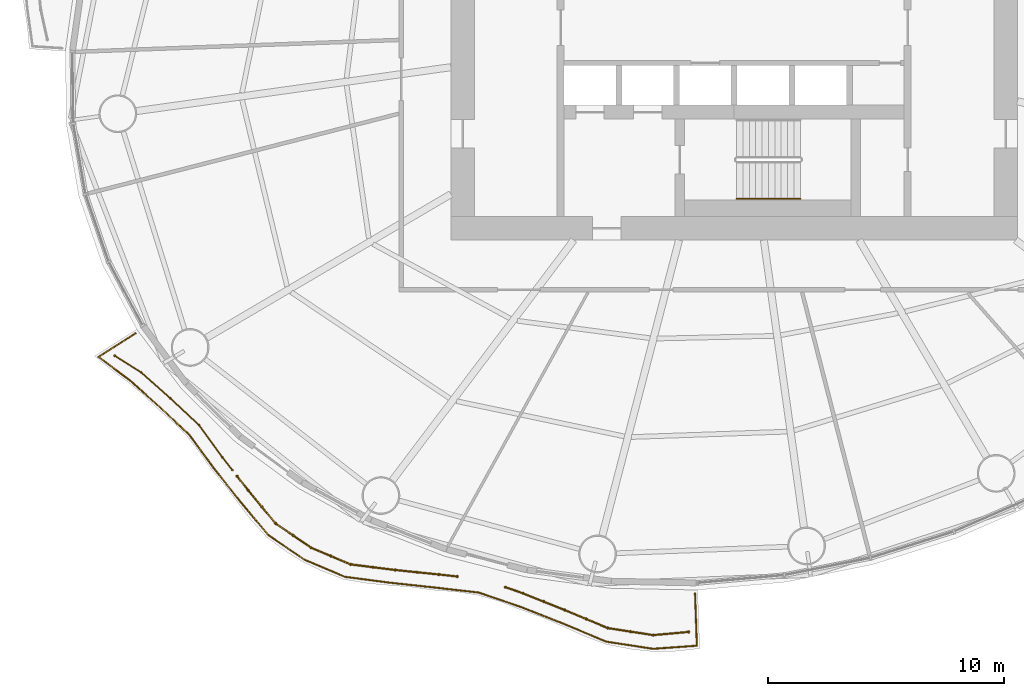
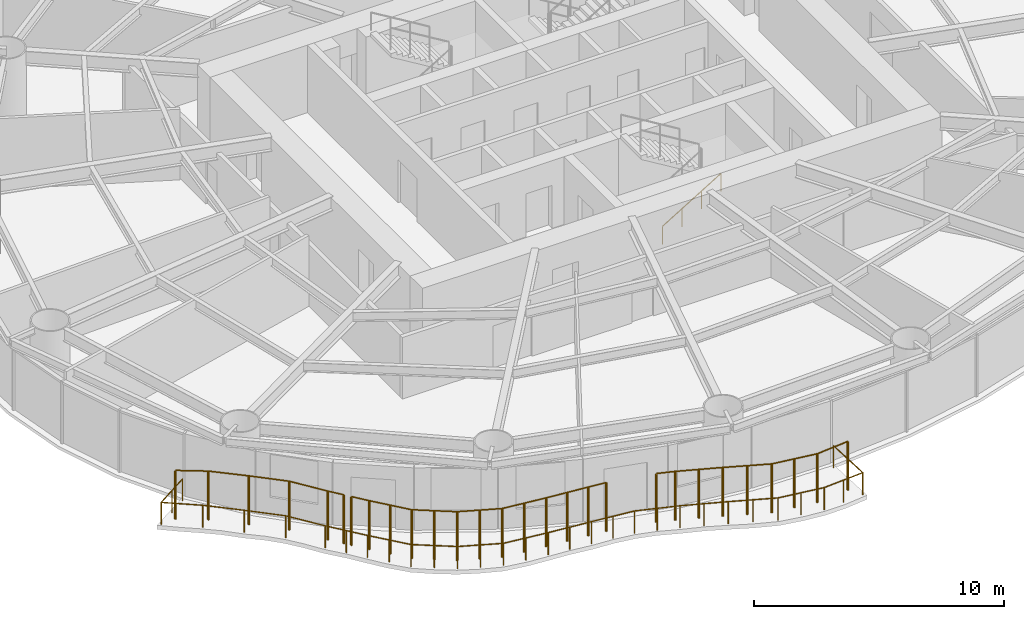
# One storey, part 12 of 17: 5 railings.
"""IFC4 building model written with IfcOpenShell, lengths in metres."""

from ifc_helpers import new_model, si_unit, direction, frame, origin, origin_2d, place, context, subcontext, project, spatial, circle, extrude, material, type_object, element, save


model = new_model("IFC4")

# Units and contexts
model_context = context("Model", 3, precision=1e-05, world=origin(), true_north=direction((0.0, 1.0)))
body_context = subcontext(model_context, "Body", "Model", "MODEL_VIEW")
ifc_project = project(units=[si_unit("LENGTHUNIT", "METRE"), si_unit("AREAUNIT", "SQUARE_METRE"), si_unit("VOLUMEUNIT", "CUBIC_METRE"), si_unit("PLANEANGLEUNIT", "RADIAN"), si_unit("MASSUNIT", "GRAM", prefix="KILO")], contexts=[model_context])

# Site, building, storey
site_placement = place(None, origin())
site = spatial("IfcSite", under=ifc_project, at=site_placement, CompositionType="ELEMENT")
building_placement = place(site_placement, origin())
building = spatial("IfcBuilding", under=site, at=building_placement, Name="Vermilion Reach Broadcast Tower", CompositionType="ELEMENT")
storey_placement = place(building_placement, frame((0.0, 0.0, 92.199951171875)))
storey = spatial("IfcBuildingStorey", under=building, at=storey_placement, Name="L20", CompositionType="ELEMENT", Elevation=92.199951171875)

# Railings
ifc_material_1 = material(Name="Terracotta baguette", Category="masonry")
railing_type_1 = type_object("IfcRailingType", Name="BAGUETTE SCREEN", PredefinedType="USERDEFINED", material=ifc_material_1)
railing_1_placement = place(storey_placement, frame((-32.238037109375, -13.89892578125, 0.0)))
element("IfcRailing", 1, at=railing_1_placement, inside=storey, type_object=railing_type_1, Name="Baguette screen L20 group 3 part 1", ObjectType="BAGUETTE SCREEN", PredefinedType="USERDEFINED", context=body_context, shape_type="SweptSolid", body=[
    extrude(circle(Radius=0.030029296875, at=origin_2d()), frame((0.0, 0.0, 2.369873046875), z_axis=(0.846072351119, -0.533068078834, 0.0), x_axis=(0.533068078834, 0.846072351119, 0.0)), (0.0, 0.0, 1.0), 1.3212890625),
    extrude(circle(Radius=0.030029296875, at=origin_2d()), frame((1.117919921875, -0.704345703125, 2.369873046875), z_axis=(0.747987182156, -0.663713172485, 0.0), x_axis=(0.663713172485, 0.747987182156, 0.0)), (0.0, 0.0, 1.0), 1.654296875),
    extrude(circle(Radius=0.030029296875, at=origin_2d()), frame((2.355224609375, -1.80224609375, 2.369873046875), z_axis=(0.730957148218, -0.682423363806, 0.0), x_axis=(0.682423363806, 0.730957148218, 0.0)), (0.0, 0.0, 1.0), 1.655029296875),
    extrude(circle(Radius=0.030029296875, at=origin_2d()), frame((3.56494140625, -2.931640625, 2.369873046875), z_axis=(0.587064500822, -0.809540160755, 0.0), x_axis=(0.809540160755, 0.587064500822, 0.0)), (0.0, 0.0, 1.0), 1.692138671875),
    extrude(circle(Radius=0.030029296875, at=origin_2d()), frame((4.558349609375, -4.301513671875, 2.369873046875), z_axis=(0.615962189801, -0.78777571728, 0.0), x_axis=(0.78777571728, 0.615962189801, 0.0)), (0.0, 0.0, 1.0), 0.684814453125),
    extrude(circle(Radius=0.050048828125, at=origin_2d()), origin(), (0.0, 0.0, 1.0), 2.33984375),
    extrude(circle(Radius=0.050048828125, at=origin_2d()), frame((1.117919921875, -0.704345703125, 0.0)), (0.0, 0.0, 1.0), 2.33984375),
    extrude(circle(Radius=0.050048828125, at=origin_2d()), frame((2.355224609375, -1.80224609375, 0.0)), (0.0, 0.0, 1.0), 2.33984375),
    extrude(circle(Radius=0.050048828125, at=origin_2d()), frame((3.56494140625, -2.931640625, 0.0)), (0.0, 0.0, 1.0), 2.33984375),
    extrude(circle(Radius=0.050048828125, at=origin_2d()), frame((4.558349609375, -4.301513671875, 0.0)), (0.0, 0.0, 1.0), 2.33984375),
    extrude(circle(Radius=0.050048828125, at=origin_2d()), frame((4.980224609375, -4.841064453125, 0.0)), (0.0, 0.0, 1.0), 2.33984375),
])
railing_2_placement = place(storey_placement, frame((-27.05419921875, -19.00048828125, 0.0)))
element("IfcRailing", 2, at=railing_2_placement, inside=storey, type_object=railing_type_1, Name="Baguette screen L20 group 3 part 2", ObjectType="BAGUETTE SCREEN", PredefinedType="USERDEFINED", context=body_context, shape_type="SweptSolid", body=[
    extrude(circle(Radius=0.030029296875, at=origin_2d()), frame((0.0, 0.0, 2.369873046875), z_axis=(0.616099935298, -0.787667994605, 0.0), x_axis=(0.787667994605, 0.616099935298, 0.0)), (0.0, 0.0, 1.0), 0.758544921875),
    extrude(circle(Radius=0.030029296875, at=origin_2d()), frame((0.46728515625, -0.597412109375, 2.369873046875), z_axis=(0.637663687192, -0.77031488499, 0.0), x_axis=(0.77031488499, 0.637663687192, 0.0)), (0.0, 0.0, 1.0), 1.822021484375),
    extrude(circle(Radius=0.030029296875, at=origin_2d()), frame((1.629150390625, -2.0009765625, 2.369873046875), z_axis=(0.825599874106, -0.564256012707, 0.0), x_axis=(0.564256012707, 0.825599874106, 0.0)), (0.0, 0.0, 1.0), 1.82080078125),
    extrude(circle(Radius=0.030029296875, at=origin_2d()), frame((3.13232421875, -3.0283203125, 2.369873046875), z_axis=(0.920896666168, -0.389806785781, 0.0), x_axis=(0.389806785781, 0.920896666168, 0.0)), (0.0, 0.0, 1.0), 1.814453125),
    extrude(circle(Radius=0.030029296875, at=origin_2d()), frame((4.80322265625, -3.735595703125, 2.369873046875), z_axis=(0.992248314161, -0.124271006456, 0.0), x_axis=(0.124271006456, 0.992248314161, 0.0)), (0.0, 0.0, 1.0), 1.90771484375),
    extrude(circle(Radius=0.030029296875, at=origin_2d()), frame((6.696044921875, -3.97265625, 2.369873046875), z_axis=(0.994740533985, -0.102426900995, 0.0), x_axis=(0.102426900995, 0.994740533985, 0.0)), (0.0, 0.0, 1.0), 1.85205078125),
    extrude(circle(Radius=0.030029296875, at=origin_2d()), frame((8.538330078125, -4.162353515625, 2.369873046875), z_axis=(0.993883734674, -0.110431526075, 0.0), x_axis=(0.110431526075, 0.993883734674, 0.0)), (0.0, 0.0, 1.0), 0.784912109375),
    extrude(circle(Radius=0.050048828125, at=origin_2d()), origin(), (0.0, 0.0, 1.0), 2.33984375),
    extrude(circle(Radius=0.050048828125, at=origin_2d()), frame((0.46728515625, -0.597412109375, 0.0)), (0.0, 0.0, 1.0), 2.33984375),
    extrude(circle(Radius=0.050048828125, at=origin_2d()), frame((1.04833984375, -1.29931640625, 0.0)), (0.0, 0.0, 1.0), 2.33984375),
    extrude(circle(Radius=0.050048828125, at=origin_2d()), frame((1.629150390625, -2.0009765625, 0.0)), (0.0, 0.0, 1.0), 2.33984375),
    extrude(circle(Radius=0.050048828125, at=origin_2d()), frame((2.380859375, -2.5146484375, 0.0)), (0.0, 0.0, 1.0), 2.33984375),
    extrude(circle(Radius=0.050048828125, at=origin_2d()), frame((3.13232421875, -3.0283203125, 0.0)), (0.0, 0.0, 1.0), 2.33984375),
    extrude(circle(Radius=0.050048828125, at=origin_2d()), frame((3.9677734375, -3.3818359375, 0.0)), (0.0, 0.0, 1.0), 2.33984375),
    extrude(circle(Radius=0.050048828125, at=origin_2d()), frame((4.80322265625, -3.735595703125, 0.0)), (0.0, 0.0, 1.0), 2.33984375),
    extrude(circle(Radius=0.050048828125, at=origin_2d()), frame((5.74951171875, -3.85400390625, 0.0)), (0.0, 0.0, 1.0), 2.33984375),
    extrude(circle(Radius=0.050048828125, at=origin_2d()), frame((6.696044921875, -3.97265625, 0.0)), (0.0, 0.0, 1.0), 2.33984375),
    extrude(circle(Radius=0.050048828125, at=origin_2d()), frame((7.6171875, -4.0673828125, 0.0)), (0.0, 0.0, 1.0), 2.33984375),
    extrude(circle(Radius=0.050048828125, at=origin_2d()), frame((8.538330078125, -4.162353515625, 0.0)), (0.0, 0.0, 1.0), 2.33984375),
    extrude(circle(Radius=0.050048828125, at=origin_2d()), frame((9.318359375, -4.2490234375, 0.0)), (0.0, 0.0, 1.0), 2.33984375),
])
railing_3_placement = place(storey_placement, frame((-15.685302734375, -23.70703125, 0.0)))
element("IfcRailing", 3, at=railing_3_placement, inside=storey, type_object=railing_type_1, Name="Baguette screen L20 group 3 part 3", ObjectType="BAGUETTE SCREEN", PredefinedType="USERDEFINED", context=body_context, shape_type="SweptSolid", body=[
    extrude(circle(Radius=0.030029296875, at=origin_2d()), frame((0.0, 0.0, 2.369873046875), z_axis=(0.946375865123, -0.32306767389, 0.0), x_axis=(0.32306767389, 0.946375865123, 0.0)), (0.0, 0.0, 1.0), 0.77001953125),
    extrude(circle(Radius=0.030029296875, at=origin_2d()), frame((0.728759765625, -0.248779296875, 2.369873046875), z_axis=(0.928520695301, -0.37128064641, 0.0), x_axis=(0.37128064641, 0.928520695301, 0.0)), (0.0, 0.0, 1.0), 1.912841796875),
    extrude(circle(Radius=0.030029296875, at=origin_2d()), frame((2.5048828125, -0.958984375, 2.369873046875), z_axis=(0.921565674477, -0.388222497577, 0.0), x_axis=(0.388222497577, 0.921565674477, 0.0)), (0.0, 0.0, 1.0), 1.978515625),
    extrude(circle(Radius=0.030029296875, at=origin_2d()), frame((4.328125, -1.72705078125, 2.369873046875), z_axis=(0.988347143826, -0.152216698462, 0.0), x_axis=(0.152216698462, 0.988347143826, 0.0)), (0.0, 0.0, 1.0), 1.955078125),
    extrude(circle(Radius=0.030029296875, at=origin_2d()), frame((6.260498046875, -2.024658203125, 2.369873046875), z_axis=(0.99588118943, 0.090667836305, 0.0), x_axis=(-0.090667836305, 0.99588118943, 0.0)), (0.0, 0.0, 1.0), 1.499755859375),
    extrude(circle(Radius=0.050048828125, at=origin_2d()), origin(), (0.0, 0.0, 1.0), 2.33984375),
    extrude(circle(Radius=0.050048828125, at=origin_2d()), frame((0.728759765625, -0.248779296875, 0.0)), (0.0, 0.0, 1.0), 2.33984375),
    extrude(circle(Radius=0.050048828125, at=origin_2d()), frame((1.61669921875, -0.60400390625, 0.0)), (0.0, 0.0, 1.0), 2.33984375),
    extrude(circle(Radius=0.050048828125, at=origin_2d()), frame((2.5048828125, -0.958984375, 0.0)), (0.0, 0.0, 1.0), 2.33984375),
    extrude(circle(Radius=0.050048828125, at=origin_2d()), frame((3.41650390625, -1.343017578125, 0.0)), (0.0, 0.0, 1.0), 2.33984375),
    extrude(circle(Radius=0.050048828125, at=origin_2d()), frame((4.328125, -1.72705078125, 0.0)), (0.0, 0.0, 1.0), 2.33984375),
    extrude(circle(Radius=0.050048828125, at=origin_2d()), frame((5.29443359375, -1.8759765625, 0.0)), (0.0, 0.0, 1.0), 2.33984375),
    extrude(circle(Radius=0.050048828125, at=origin_2d()), frame((6.260498046875, -2.024658203125, 0.0)), (0.0, 0.0, 1.0), 2.33984375),
    extrude(circle(Radius=0.050048828125, at=origin_2d()), frame((7.754150390625, -1.888671875, 0.0)), (0.0, 0.0, 1.0), 2.33984375),
])
ifc_material_2 = material(Name="Stainless steel 316 balustrade", Category="steel")
railing_type_2 = type_object("IfcRailingType", Name="Balcony guard 1100", PredefinedType="BALUSTRADE", material=ifc_material_2)
railing_4_placement = place(storey_placement, frame((-31.361572265625, -12.951171875, 0.0)))
element("IfcRailing", 4, at=railing_4_placement, inside=storey, type_object=railing_type_2, Name="Balcony guard L20 group 3", PredefinedType="BALUSTRADE", context=body_context, shape_type="SweptSolid", body=[
    extrude(circle(Radius=0.02490234375, at=origin_2d()), frame((0.0, 0.0, 1.0751953125), z_axis=(-0.843634373102, -0.536918098523, 0.0), x_axis=(0.536918098523, -0.843634373102, 0.0)), (0.0, 0.0, 1.0), 1.853759765625),
    extrude(circle(Radius=0.02490234375, at=origin_2d()), frame((-1.56396484375, -0.995361328125, 1.0751953125), z_axis=(0.800349361817, -0.599533901492, 0.0), x_axis=(0.599533901492, 0.800349361817, 0.0)), (0.0, 0.0, 1.0), 1.676513671875),
    extrude(circle(Radius=0.02490234375, at=origin_2d()), frame((-0.22216796875, -2.00048828125, 1.0751953125), z_axis=(0.745230023228, -0.666807477822, 0.0), x_axis=(0.666807477822, 0.745230023228, 0.0)), (0.0, 0.0, 1.0), 1.69677734375),
    extrude(circle(Radius=0.02490234375, at=origin_2d()), frame((1.042236328125, -3.1318359375, 1.0751953125), z_axis=(0.729877904781, -0.683577533359, 0.0), x_axis=(0.683577533359, 0.729877904781, 0.0)), (0.0, 0.0, 1.0), 1.697998046875),
    extrude(circle(Radius=0.02490234375, at=origin_2d()), frame((2.281494140625, -4.29248046875, 1.0751953125), z_axis=(0.590807647289, -0.806812446548, 0.0), x_axis=(0.806812446548, 0.590807647289, 0.0)), (0.0, 0.0, 1.0), 1.732666015625),
    extrude(circle(Radius=0.02490234375, at=origin_2d()), frame((3.30517578125, -5.6904296875, 1.0751953125), z_axis=(0.620237509672, -0.784414068969, 0.0), x_axis=(0.784414068969, 0.620237509672, 0.0)), (0.0, 0.0, 1.0), 1.814208984375),
    extrude(circle(Radius=0.02490234375, at=origin_2d()), frame((4.430419921875, -7.113525390625, 1.0751953125), z_axis=(0.642067671978, -0.766647966541, 0.0), x_axis=(0.766647966541, 0.642067671978, 0.0)), (0.0, 0.0, 1.0), 1.85986328125),
    extrude(circle(Radius=0.02490234375, at=origin_2d()), frame((5.62451171875, -8.539306640625, 1.0751953125), z_axis=(0.826413387043, -0.563063862911, 0.0), x_axis=(0.563063862911, 0.826413387043, 0.0)), (0.0, 0.0, 1.0), 1.859619140625),
    extrude(circle(Radius=0.02490234375, at=origin_2d()), frame((7.161376953125, -9.58642578125, 1.0751953125), z_axis=(0.920374812789, -0.391037343465, 0.0), x_axis=(0.391037343465, 0.920374812789, 0.0)), (0.0, 0.0, 1.0), 1.851806640625),
    extrude(circle(Radius=0.02490234375, at=origin_2d()), frame((8.86572265625, -10.310546875, 1.0751953125), z_axis=(0.991576576551, -0.12952178518, 0.0), x_axis=(0.12952178518, 0.991576576551, 0.0)), (0.0, 0.0, 1.0), 1.943359375),
    extrude(circle(Radius=0.02490234375, at=origin_2d()), frame((10.792724609375, -10.562255859375, 1.0751953125), z_axis=(0.994270411744, -0.106894098672, 0.0), x_axis=(0.106894098672, 0.994270411744, 0.0)), (0.0, 0.0, 1.0), 1.886474609375),
    extrude(circle(Radius=0.02490234375, at=origin_2d()), frame((12.66845703125, -10.763916015625, 1.0751953125), z_axis=(0.993533510068, -0.113539263572, 0.0), x_axis=(0.113539263572, 0.993533510068, 0.0)), (0.0, 0.0, 1.0), 1.87939453125),
    extrude(circle(Radius=0.02490234375, at=origin_2d()), frame((14.53564453125, -10.977294921875, 1.0751953125), z_axis=(0.946960846478, -0.321348961782, 0.0), x_axis=(0.321348961782, 0.946960846478, 0.0)), (0.0, 0.0, 1.0), 1.857666015625),
    extrude(circle(Radius=0.02490234375, at=origin_2d()), frame((16.294677734375, -11.57421875, 1.0751953125), z_axis=(0.929948749865, -0.36768916577, 0.0), x_axis=(0.36768916577, 0.929948749865, 0.0)), (0.0, 0.0, 1.0), 1.946044921875),
    extrude(circle(Radius=0.02490234375, at=origin_2d()), frame((18.1044921875, -12.289794921875, 1.0751953125), z_axis=(0.923382133112, -0.383882060339, 0.0), x_axis=(0.383882060339, 0.923382133112, 0.0)), (0.0, 0.0, 1.0), 2.009765625),
    extrude(circle(Radius=0.02490234375, at=origin_2d()), frame((19.960205078125, -13.061279296875, 1.0751953125), z_axis=(0.988616057305, -0.150460264654, 0.0), x_axis=(0.150460264654, 0.988616057305, 0.0)), (0.0, 0.0, 1.0), 1.98779296875),
    extrude(circle(Radius=0.02490234375, at=origin_2d()), frame((21.92529296875, -13.3603515625, 1.0751953125), z_axis=(0.997567464149, 0.069707635671, 0.0), x_axis=(-0.069707635671, 0.997567464149, 0.0)), (0.0, 0.0, 1.0), 1.85986328125),
    extrude(circle(Radius=0.02490234375, at=origin_2d()), frame((23.780517578125, -13.230712890625, 1.0751953125), z_axis=(-0.034845867007, 0.999392698369, 0.0), x_axis=(-0.999392698369, -0.034845867007, 0.0)), (0.0, 0.0, 1.0), 2.214111328125),
    extrude(circle(Radius=0.02490234375, at=origin_2d()), origin(), (0.0, 0.0, 1.0), 1.050048828125),
    extrude(circle(Radius=0.02490234375, at=origin_2d()), frame((-0.781982421875, -0.49755859375, 0.0)), (0.0, 0.0, 1.0), 1.050048828125),
    extrude(circle(Radius=0.02490234375, at=origin_2d()), frame((-1.56396484375, -0.995361328125, 0.0)), (0.0, 0.0, 1.0), 1.050048828125),
    extrude(circle(Radius=0.02490234375, at=origin_2d()), frame((-0.22216796875, -2.00048828125, 0.0)), (0.0, 0.0, 1.0), 1.050048828125),
    extrude(circle(Radius=0.02490234375, at=origin_2d()), frame((1.042236328125, -3.1318359375, 0.0)), (0.0, 0.0, 1.0), 1.050048828125),
    extrude(circle(Radius=0.02490234375, at=origin_2d()), frame((2.281494140625, -4.29248046875, 0.0)), (0.0, 0.0, 1.0), 1.050048828125),
    extrude(circle(Radius=0.02490234375, at=origin_2d()), frame((3.30517578125, -5.6904296875, 0.0)), (0.0, 0.0, 1.0), 1.050048828125),
    extrude(circle(Radius=0.02490234375, at=origin_2d()), frame((3.86767578125, -6.40185546875, 0.0)), (0.0, 0.0, 1.0), 1.050048828125),
    extrude(circle(Radius=0.02490234375, at=origin_2d()), frame((4.430419921875, -7.113525390625, 0.0)), (0.0, 0.0, 1.0), 1.050048828125),
    extrude(circle(Radius=0.02490234375, at=origin_2d()), frame((5.02734375, -7.826416015625, 0.0)), (0.0, 0.0, 1.0), 1.050048828125),
    extrude(circle(Radius=0.02490234375, at=origin_2d()), frame((5.62451171875, -8.539306640625, 0.0)), (0.0, 0.0, 1.0), 1.050048828125),
    extrude(circle(Radius=0.02490234375, at=origin_2d()), frame((6.39306640625, -9.06298828125, 0.0)), (0.0, 0.0, 1.0), 1.050048828125),
    extrude(circle(Radius=0.02490234375, at=origin_2d()), frame((7.161376953125, -9.58642578125, 0.0)), (0.0, 0.0, 1.0), 1.050048828125),
    extrude(circle(Radius=0.02490234375, at=origin_2d()), frame((8.013671875, -9.948486328125, 0.0)), (0.0, 0.0, 1.0), 1.050048828125),
    extrude(circle(Radius=0.02490234375, at=origin_2d()), frame((8.86572265625, -10.310546875, 0.0)), (0.0, 0.0, 1.0), 1.050048828125),
    extrude(circle(Radius=0.02490234375, at=origin_2d()), frame((9.8291015625, -10.4365234375, 0.0)), (0.0, 0.0, 1.0), 1.050048828125),
    extrude(circle(Radius=0.02490234375, at=origin_2d()), frame((10.792724609375, -10.562255859375, 0.0)), (0.0, 0.0, 1.0), 1.050048828125),
    extrude(circle(Radius=0.02490234375, at=origin_2d()), frame((11.73046875, -10.6630859375, 0.0)), (0.0, 0.0, 1.0), 1.050048828125),
    extrude(circle(Radius=0.02490234375, at=origin_2d()), frame((12.66845703125, -10.763916015625, 0.0)), (0.0, 0.0, 1.0), 1.050048828125),
    extrude(circle(Radius=0.02490234375, at=origin_2d()), frame((13.60205078125, -10.87060546875, 0.0)), (0.0, 0.0, 1.0), 1.050048828125),
    extrude(circle(Radius=0.02490234375, at=origin_2d()), frame((14.53564453125, -10.977294921875, 0.0)), (0.0, 0.0, 1.0), 1.050048828125),
    extrude(circle(Radius=0.02490234375, at=origin_2d()), frame((15.4150390625, -11.27587890625, 0.0)), (0.0, 0.0, 1.0), 1.050048828125),
    extrude(circle(Radius=0.02490234375, at=origin_2d()), frame((16.294677734375, -11.57421875, 0.0)), (0.0, 0.0, 1.0), 1.050048828125),
    extrude(circle(Radius=0.02490234375, at=origin_2d()), frame((17.19970703125, -11.93212890625, 0.0)), (0.0, 0.0, 1.0), 1.050048828125),
    extrude(circle(Radius=0.02490234375, at=origin_2d()), frame((18.1044921875, -12.289794921875, 0.0)), (0.0, 0.0, 1.0), 1.050048828125),
    extrude(circle(Radius=0.02490234375, at=origin_2d()), frame((19.0322265625, -12.675537109375, 0.0)), (0.0, 0.0, 1.0), 1.050048828125),
    extrude(circle(Radius=0.02490234375, at=origin_2d()), frame((19.960205078125, -13.061279296875, 0.0)), (0.0, 0.0, 1.0), 1.050048828125),
    extrude(circle(Radius=0.02490234375, at=origin_2d()), frame((20.94287109375, -13.2109375, 0.0)), (0.0, 0.0, 1.0), 1.050048828125),
    extrude(circle(Radius=0.02490234375, at=origin_2d()), frame((21.92529296875, -13.3603515625, 0.0)), (0.0, 0.0, 1.0), 1.050048828125),
    extrude(circle(Radius=0.02490234375, at=origin_2d()), frame((22.85302734375, -13.29541015625, 0.0)), (0.0, 0.0, 1.0), 1.050048828125),
    extrude(circle(Radius=0.02490234375, at=origin_2d()), frame((23.780517578125, -13.230712890625, 0.0)), (0.0, 0.0, 1.0), 1.050048828125),
    extrude(circle(Radius=0.02490234375, at=origin_2d()), frame((23.741943359375, -12.12451171875, 0.0)), (0.0, 0.0, 1.0), 1.050048828125),
    extrude(circle(Radius=0.02490234375, at=origin_2d()), frame((23.703369140625, -11.01806640625, 0.0)), (0.0, 0.0, 1.0), 1.050048828125),
])
ifc_material_3 = material(Name="Stainless steel", Category="steel")
railing_type_3 = type_object("IfcRailingType", Name="Stair handrail", PredefinedType="HANDRAIL", material=ifc_material_3)
railing_5_placement = place(storey_placement, frame((-5.89990234375, -7.25, 0.16357421875)))
element("IfcRailing", 5, at=railing_5_placement, inside=storey, type_object=railing_type_3, Name="L20 ST3 stair handrail 1", PredefinedType="HANDRAIL", context=body_context, shape_type="SweptSolid", body=[
    extrude(circle(Radius=0.02392578125, at=origin_2d()), frame((0.0, 0.0, 0.8759765625), z_axis=(0.855178096276, 0.0, 0.518334277904), x_axis=(0.0, 1.0, 0.0)), (0.0, 0.0, 1.0), 3.1572265625),
    extrude(circle(Radius=0.02099609375, at=origin_2d()), origin(), (0.0, 0.0, 1.0), 0.851806640625),
    extrude(circle(Radius=0.02099609375, at=origin_2d()), frame((0.89990234375, 0.0, 0.54541015625)), (0.0, 0.0, 1.0), 0.851806640625),
    extrude(circle(Radius=0.02099609375, at=origin_2d()), frame((1.800048828125, 0.0, 1.091064453125)), (0.0, 0.0, 1.0), 0.851806640625),
    extrude(circle(Radius=0.02099609375, at=origin_2d()), frame((2.699951171875, 0.0, 1.636474609375)), (0.0, 0.0, 1.0), 0.851806640625),
])

save(model, "model.ifc")
